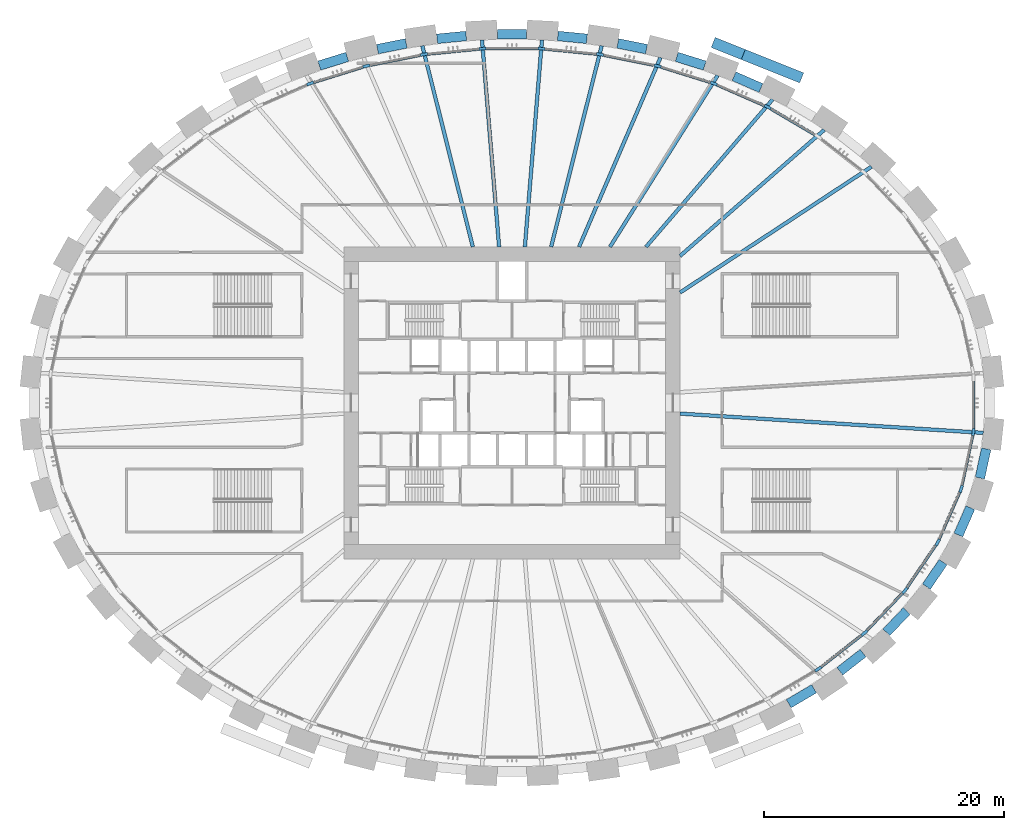
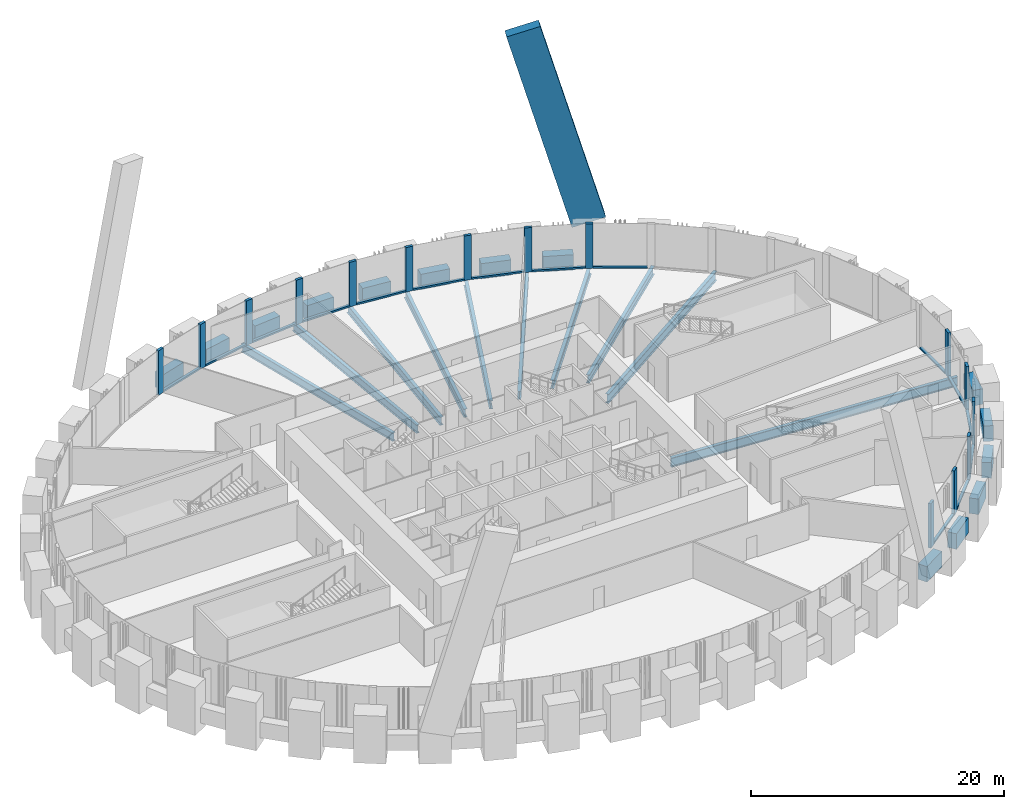
# One storey, part 3 of 21: 31 members, 24 beams, 2 elements without a shape of their own.
"""IFC4 building model written with IfcOpenShell, lengths in metres."""

import ifcopenshell
import ifcopenshell.guid

model = None  # the IFC model being written
_history = None  # IfcOwnerHistory: only IFC2X3 demands one
_inside = {}  # id of a spatial element -> (the spatial element, [elements in it])
_under = {}  # id of a project, library or spatial element -> (it, [spatial elements below it])
_declared = {}  # id of a project -> (the project, [libraries it declares])
_typed = {}  # id of a type object -> (the type object, [elements of that type])
_made_of = {}  # id of a material, layer set ... -> (it, [elements and type objects made of it])


def new_model(schema):
    """Start an empty IFC model of exactly this schema.

    Asked for "IFC4X3", IfcOpenShell would pick the latest addendum, in which some entities
    have other attributes; the version numbers below select the first issue.
    IFC2X3 requires an IfcOwnerHistory on every rooted entity: one is made here for all.
    """
    global model, _history
    if schema == "IFC4X3":
        model = ifcopenshell.file(schema_version=(4, 3, 0, 0))
    else:
        model = ifcopenshell.file(schema=schema)
    _inside.clear()
    _under.clear()
    _declared.clear()
    _typed.clear()
    _made_of.clear()
    _history = None
    if model.schema == "IFC2X3":
        org = make("IfcOrganization", Name="unknown")
        user = make(
            "IfcPersonAndOrganization",
            ThePerson=make("IfcPerson", FamilyName="unknown"),
            TheOrganization=org,
        )
        app = make(
            "IfcApplication",
            ApplicationDeveloper=org,
            Version="unknown",
            ApplicationFullName="unknown",
            ApplicationIdentifier="unknown",
        )
        _history = make(
            "IfcOwnerHistory",
            OwningUser=user,
            OwningApplication=app,
            ChangeAction="ADDED",
            CreationDate=0,
        )
    return model


def make(cls, **values):
    """One entity of the class cls with the attributes given. An attribute that is None is left unset."""
    return model.create_entity(
        cls, **{name: value for name, value in values.items() if value is not None}
    )


def rooted(cls, **values):
    """An entity with a GlobalId (a new one), such as an element, a storey or a relation."""
    return make(cls, GlobalId=ifcopenshell.guid.new(), OwnerHistory=_history, **values)


def si_unit(unit_type, name, prefix=None):
    """IfcSIUnit, for example si_unit("LENGTHUNIT", "METRE", prefix="MILLI")."""
    return make("IfcSIUnit", UnitType=unit_type, Prefix=prefix, Name=name)


def assignment(units):
    """IfcUnitAssignment: the units of a project."""
    return None if units is None else make("IfcUnitAssignment", Units=units)


def point(xyz):
    """IfcCartesianPoint."""
    return None if xyz is None else make("IfcCartesianPoint", Coordinates=xyz)


def direction(xyz):
    """IfcDirection."""
    return None if xyz is None else make("IfcDirection", DirectionRatios=xyz)


def frame(location, z_axis=None, x_axis=None):
    """IfcAxis2Placement3D, a coordinate frame: its origin and axes. An axis left out is left unset."""
    return make(
        "IfcAxis2Placement3D",
        Location=point(location),
        Axis=direction(z_axis),
        RefDirection=direction(x_axis),
    )


def frame_2d(location, x_axis=None):
    """IfcAxis2Placement2D, a coordinate frame in the plane: its origin and x axis."""
    return make(
        "IfcAxis2Placement2D", Location=point(location), RefDirection=direction(x_axis)
    )


def origin():
    """The frame at (0, 0, 0) with its axes left unset."""
    return frame((0.0, 0.0, 0.0))


def origin_2d():
    """The frame at (0, 0) in the plane with its x axis left unset."""
    return frame_2d((0.0, 0.0))


def place(relative_to, where):
    """IfcLocalPlacement: puts the frame where relative to a parent placement (None: the world)."""
    return make(
        "IfcLocalPlacement", PlacementRelTo=relative_to, RelativePlacement=where
    )


def context(
    kind, dimensions, precision=None, world=None, true_north=None, identifier=None
):
    """IfcGeometricRepresentationContext, for example the 3D "Model" context."""
    return make(
        "IfcGeometricRepresentationContext",
        ContextIdentifier=identifier,
        ContextType=kind,
        CoordinateSpaceDimension=dimensions,
        Precision=precision,
        WorldCoordinateSystem=world,
        TrueNorth=true_north,
    )


def subcontext(parent, identifier, kind, view, scale=None):
    """IfcGeometricRepresentationSubContext, for example "Body" below "Model"."""
    return make(
        "IfcGeometricRepresentationSubContext",
        ContextIdentifier=identifier,
        ContextType=kind,
        ParentContext=parent,
        TargetScale=scale,
        TargetView=view,
    )


def project(units=None, contexts=None):
    """IfcProject with its units and contexts."""
    return rooted(
        "IfcProject",
        Name="project",
        RepresentationContexts=contexts,
        UnitsInContext=assignment(units),
    )


def spatial(cls, under=None, at=None, **own):
    """A site, building, storey or space (cls), placed at a placement, below another one or the project."""
    s = rooted(cls, ObjectPlacement=at, **own)
    if under is not None:
        _under.setdefault(under.id(), (under, []))[1].append(s)
    return s


def profile(cls, at=None, kind="AREA", **sizes):
    """A parametric profile (cls). Its sizes go by their IFC names, for example OverallWidth=200.0."""
    return make(cls, ProfileType=kind, Position=at, **sizes)


def rectangle(**sizes):
    """IfcRectangleProfileDef."""
    return profile("IfcRectangleProfileDef", **sizes)


def i_section(**sizes):
    """IfcIShapeProfileDef."""
    return profile("IfcIShapeProfileDef", **sizes)


def extrude(swept, where, along, depth):
    """IfcExtrudedAreaSolid: the profile swept, set in the frame where, extruded along a direction by depth."""
    return make(
        "IfcExtrudedAreaSolid",
        SweptArea=swept,
        Position=where,
        ExtrudedDirection=direction(along),
        Depth=depth,
    )


def shape(context_of_items, identifier, shape_type, items):
    """IfcShapeRepresentation: the items that make up one representation, for example the "Body"."""
    return make(
        "IfcShapeRepresentation",
        ContextOfItems=context_of_items,
        RepresentationIdentifier=identifier,
        RepresentationType=shape_type,
        Items=items,
    )


def source(mapping_origin, context_of_items, identifier, shape_type, items):
    """IfcRepresentationMap: a shape defined once, which mapped items show again and again."""
    return make(
        "IfcRepresentationMap",
        MappingOrigin=mapping_origin,
        MappedRepresentation=shape(context_of_items, identifier, shape_type, items),
    )


def transform(
    local_origin,
    x_axis=None,
    y_axis=None,
    z_axis=None,
    scale=None,
    scale2=None,
    scale3=None,
    uniform=True,
):
    """IfcCartesianTransformationOperator3D, or its non-uniform kind. x_axis, y_axis, z_axis: its Axis1, 2, 3."""
    if uniform:
        return make(
            "IfcCartesianTransformationOperator3D",
            Axis1=direction(x_axis),
            Axis2=direction(y_axis),
            LocalOrigin=point(local_origin),
            Scale=scale,
            Axis3=direction(z_axis),
        )
    return make(
        "IfcCartesianTransformationOperator3DnonUniform",
        Axis1=direction(x_axis),
        Axis2=direction(y_axis),
        LocalOrigin=point(local_origin),
        Scale=scale,
        Axis3=direction(z_axis),
        Scale2=scale2,
        Scale3=scale3,
    )


def mapped(mapping_source, mapping_target):
    """IfcMappedItem: shows the shape of a source again, moved by a transform."""
    return make(
        "IfcMappedItem", MappingSource=mapping_source, MappingTarget=mapping_target
    )


def material(Name=None, Category=None):
    """IfcMaterial."""
    return make("IfcMaterial", Name=Name, Category=Category)


def material_profile(
    of_material, cross_section, Name=None, Category=None, Priority=None
):
    """IfcMaterialProfile: a cross section and its material."""
    return make(
        "IfcMaterialProfile",
        Name=Name,
        Material=of_material,
        Profile=cross_section,
        Priority=Priority,
        Category=Category,
    )


def profile_set(profiles, Name=None, composite=None):
    """IfcMaterialProfileSet."""
    return make(
        "IfcMaterialProfileSet",
        Name=Name,
        MaterialProfiles=profiles,
        CompositeProfile=composite,
    )


def made_of(thing, what):
    """Note that an element or type object is made of a material, layer set ...; save() writes the relation."""
    if what is not None:
        _made_of.setdefault(what.id(), (what, []))[1].append(thing)
    return thing


def type_object(cls, material=None, **own):
    """A type object (cls), such as IfcWallType, which elements share."""
    return made_of(rooted(cls, **own), material)


def element(
    cls,
    number,
    at=None,
    inside=None,
    cuts=None,
    type_object=None,
    material=None,
    context=None,
    identifier="Body",
    shape_type=None,
    held_by="IfcProductDefinitionShape",
    body=None,
    shapes=None,
    **own,
):
    """One element of the class cls, such as IfcWall. Its Tag is "e" and its number.

    at: its placement. inside: the storey or other place that contains it. cuts: it is an
    opening in that element (IfcRelVoidsElement). A single representation is given by context,
    identifier, shape_type and body (its items); several are given by shapes. held_by: the class
    of the entity that holds the representations. save() writes the other relations.
    """
    e = rooted(cls, Tag="e%d" % number, ObjectPlacement=at, **own)
    if body is not None:
        shapes = [shape(context, identifier, shape_type, body)]
    if shapes is not None:
        e.Representation = make(held_by, Representations=shapes)
    if inside is not None:
        _inside.setdefault(inside.id(), (inside, []))[1].append(e)
    if cuts is not None:
        rooted(
            "IfcRelVoidsElement", RelatingBuildingElement=cuts, RelatedOpeningElement=e
        )
    if type_object is not None:
        _typed.setdefault(type_object.id(), (type_object, []))[1].append(e)
    return made_of(e, material)


def aggregate(whole, parts):
    """IfcRelAggregates: a whole, such as a stair, and the parts it consists of."""
    return rooted("IfcRelAggregates", RelatingObject=whole, RelatedObjects=parts)


def save(model, path):
    """Write the relations noted so far, then the file.

    IfcRelAggregates (storeys below a building ...), IfcRelContainedInSpatialStructure (elements
    in a storey), IfcRelDefinesByType, IfcRelAssociatesMaterial and IfcRelDeclares: one each for
    every whole, place, type object, material and project.
    """
    for whole, parts in _under.values():
        aggregate(whole, parts)
    for where, things in _inside.values():
        rooted(
            "IfcRelContainedInSpatialStructure",
            RelatedElements=things,
            RelatingStructure=where,
        )
    for kind, things in _typed.values():
        rooted("IfcRelDefinesByType", RelatedObjects=things, RelatingType=kind)
    for what, things in _made_of.values():
        rooted("IfcRelAssociatesMaterial", RelatedObjects=things, RelatingMaterial=what)
    for by, libraries in _declared.values():
        rooted("IfcRelDeclares", RelatingContext=by, RelatedDefinitions=libraries)
    model.write(path)


model = new_model("IFC4")

# Units and contexts
model_context = context("Model", 3, precision=1e-05, world=origin(), true_north=direction((0.0, 1.0)))
body_context = subcontext(model_context, "Body", "Model", "MODEL_VIEW")
ifc_project = project(units=[si_unit("LENGTHUNIT", "METRE"), si_unit("AREAUNIT", "SQUARE_METRE"), si_unit("VOLUMEUNIT", "CUBIC_METRE"), si_unit("PLANEANGLEUNIT", "RADIAN"), si_unit("MASSUNIT", "GRAM", prefix="KILO")], contexts=[model_context])

# Site, building, storey
site_placement = place(None, origin())
site = spatial("IfcSite", under=ifc_project, at=site_placement, CompositionType="ELEMENT")
building_placement = place(site_placement, origin())
building = spatial("IfcBuilding", under=site, at=building_placement, Name="Embergate Tower", CompositionType="ELEMENT")
storey_placement = place(building_placement, frame((0.0, 0.0, 33.5)))
storey = spatial("IfcBuildingStorey", under=building, at=storey_placement, Name="L04", CompositionType="ELEMENT", Elevation=33.5)

# Beams
ifc_material_1 = material(Name="Concrete C70", Category="concrete")
ifc_material_profile_1 = material_profile(ifc_material_1, rectangle(XDim=0.800048828125, YDim=1.5, at=origin_2d()), Name="RC 800x1500")
ifc_profile_set_1 = profile_set([ifc_material_profile_1], Name="Concrete C70")
beam_type_1 = type_object("IfcBeamType", Name="Spandrel beam RC 800x1500 C70", PredefinedType="BEAM", material=ifc_profile_set_1)
shared_shape_1 = source(origin(), body_context, "Body", "SweptSolid", [
    extrude(rectangle(XDim=0.800048828125, YDim=1.5, at=origin_2d()), origin(), (0.0, 0.0, 1.0), 2.4833984375),
])
beam_1_placement = place(storey_placement, frame((38.98193359375, -6.2548828125, 0.0), z_axis=(0.210180265882, 0.977662649299, 0.0), x_axis=(-0.977662649299, 0.210180265882, 0.0)))
element("IfcBeam", 1, at=beam_1_placement, inside=storey, type_object=beam_type_1, Name="SPN-L04-42", PredefinedType="BEAM", context=body_context, shape_type="MappedRepresentation", body=[
    mapped(shared_shape_1, transform((0.0, 0.0, 0.0))),
])
shared_shape_2 = source(origin(), body_context, "Body", "SweptSolid", [
    extrude(rectangle(XDim=0.800048828125, YDim=1.5, at=origin_2d()), origin(), (0.0, 0.0, 1.0), 2.478515625),
])
beam_2_placement = place(storey_placement, frame((37.18701171875, -10.9990234375, 0.0), z_axis=(0.40140784331, 0.915899417692, 0.0), x_axis=(-0.915899417692, 0.40140784331, 0.0)))
element("IfcBeam", 2, at=beam_2_placement, inside=storey, type_object=beam_type_1, Name="SPN-L04-41", PredefinedType="BEAM", context=body_context, shape_type="MappedRepresentation", body=[
    mapped(shared_shape_2, transform((0.0, 0.0, 0.0))),
])
shared_shape_3 = source(origin(), body_context, "Body", "SweptSolid", [
    extrude(rectangle(XDim=0.800048828125, YDim=1.5, at=origin_2d()), origin(), (0.0, 0.0, 1.0), 2.46875),
])
beam_3_placement = place(storey_placement, frame((34.52197265625, -15.304931640625, 0.0), z_axis=(0.562594003895, 0.826733322651, 0.0), x_axis=(-0.826733322651, 0.562594003895, 0.0)))
element("IfcBeam", 3, at=beam_3_placement, inside=storey, type_object=beam_type_1, Name="SPN-L04-40", PredefinedType="BEAM", context=body_context, shape_type="MappedRepresentation", body=[
    mapped(shared_shape_3, transform((0.0, 0.0, 0.0))),
])
shared_shape_4 = source(origin(), body_context, "Body", "SweptSolid", [
    extrude(rectangle(XDim=0.800048828125, YDim=1.5, at=origin_2d()), origin(), (0.0, 0.0, 1.0), 2.462890625),
])
beam_4_placement = place(storey_placement, frame((31.18896484375, -19.110107421875, 0.0), z_axis=(0.689801191863, 0.723998836811, 0.0), x_axis=(-0.723998836811, 0.689801191863, 0.0)))
element("IfcBeam", 4, at=beam_4_placement, inside=storey, type_object=beam_type_1, Name="SPN-L04-39", PredefinedType="BEAM", context=body_context, shape_type="MappedRepresentation", body=[
    mapped(shared_shape_4, transform((0.0, 0.0, 0.0))),
])
shared_shape_5 = source(origin(), body_context, "Body", "SweptSolid", [
    extrude(rectangle(XDim=0.800048828125, YDim=1.5, at=origin_2d()), origin(), (0.0, 0.0, 1.0), 2.45361328125),
])
beam_5_placement = place(storey_placement, frame((27.31396484375, -22.35009765625, 0.0), z_axis=(0.788220432828, 0.615393003919, 0.0), x_axis=(-0.615393003919, 0.788220432828, 0.0)))
element("IfcBeam", 5, at=beam_5_placement, inside=storey, type_object=beam_type_1, Name="SPN-L04-38", PredefinedType="BEAM", context=body_context, shape_type="MappedRepresentation", body=[
    mapped(shared_shape_5, transform((0.0, 0.0, 0.0))),
])
shared_shape_6 = source(origin(), body_context, "Body", "SweptSolid", [
    extrude(rectangle(XDim=0.800048828125, YDim=1.5, at=origin_2d()), origin(), (0.0, 0.0, 1.0), 2.44873046875),
])
beam_6_placement = place(storey_placement, frame((23.052978515625, -25.052978515625, 0.0), z_axis=(0.862085389166, 0.506763043036, 0.0), x_axis=(-0.506763043036, 0.862085389166, 0.0)))
element("IfcBeam", 6, at=beam_6_placement, inside=storey, type_object=beam_type_1, Name="SPN-L04-37", PredefinedType="BEAM", context=body_context, shape_type="MappedRepresentation", body=[
    mapped(shared_shape_6, transform((0.0, 0.0, 0.0))),
])
shared_shape_7 = source(origin(), body_context, "Body", "SweptSolid", [
    extrude(rectangle(XDim=0.800048828125, YDim=1.5, at=origin_2d()), origin(), (0.0, 0.0, 1.0), 2.445068359375),
])
beam_7_placement = place(storey_placement, frame((20.737060546875, 26.235107421875, 0.0), z_axis=(-0.916159626616, 0.400813595775, 0.0), x_axis=(-0.400813595775, -0.916159626616, 0.0)))
element("IfcBeam", 7, at=beam_7_placement, inside=storey, type_object=beam_type_1, Name="SPN-L04-06", PredefinedType="BEAM", context=body_context, shape_type="MappedRepresentation", body=[
    mapped(shared_shape_7, transform((0.0, 0.0, 0.0))),
])
shared_shape_8 = source(origin(), body_context, "Body", "SweptSolid", [
    extrude(rectangle(XDim=0.800048828125, YDim=1.5, at=origin_2d()), origin(), (0.0, 0.0, 1.0), 2.441162109375),
])
for number, where, z_axis, x_axis, name in (
    (8, (16.053955078125, 28.10498046875, 0.0), (-0.954870643943, 0.297021974499, 0.0), (-0.297021974499, -0.954870643943, 0.0), "SPN-L04-07"),
    (9, (-13.722900390625, 28.830078125, 0.0), (-0.954870643943, -0.297021974499, 0.0), (0.297021974499, -0.954870643943, 0.0), "SPN-L04-13"),
):
    element("IfcBeam", number, at=place(storey_placement, frame(where, z_axis=z_axis, x_axis=x_axis)), inside=storey, type_object=beam_type_1, Name=name, PredefinedType="BEAM", context=body_context, shape_type="MappedRepresentation", body=[
        mapped(shared_shape_8, transform((0.0, 0.0, 0.0))),
    ])
shared_shape_9 = source(origin(), body_context, "Body", "SweptSolid", [
    extrude(rectangle(XDim=0.800048828125, YDim=1.5, at=origin_2d()), origin(), (0.0, 0.0, 1.0), 2.438720703125),
])
for number, where, z_axis, x_axis, name in (
    (10, (11.2041015625, 29.472900390625, 0.0), (-0.980441821955, 0.19680913028, 0.0), (-0.19680913028, -0.980441821955, 0.0), "SPN-L04-08"),
    (11, (-8.81298828125, 29.952880859375, 0.0), (-0.980441821955, -0.19680913028, 0.0), (0.19680913028, -0.980441821955, 0.0), "SPN-L04-12"),
):
    element("IfcBeam", number, at=place(storey_placement, frame(where, z_axis=z_axis, x_axis=x_axis)), inside=storey, type_object=beam_type_1, Name=name, PredefinedType="BEAM", context=body_context, shape_type="MappedRepresentation", body=[
        mapped(shared_shape_9, transform((0.0, 0.0, 0.0))),
    ])
shared_shape_10 = source(origin(), body_context, "Body", "SweptSolid", [
    extrude(rectangle(XDim=0.800048828125, YDim=1.5, at=origin_2d()), origin(), (0.0, 0.0, 1.0), 2.437744140625),
])
for number, where, z_axis, x_axis, name in (
    (12, (6.241943359375, 30.3359375, 0.0), (-0.995181884191, 0.098045996239, 0.0), (-0.098045996239, -0.995181884191, 0.0), "SPN-L04-09"),
    (13, (-3.81591796875, 30.574951171875, 0.0), (-0.995181884191, -0.098045996239, 0.0), (0.098045996239, -0.995181884191, 0.0), "SPN-L04-11"),
):
    element("IfcBeam", number, at=place(storey_placement, frame(where, z_axis=z_axis, x_axis=x_axis)), inside=storey, type_object=beam_type_1, Name=name, PredefinedType="BEAM", context=body_context, shape_type="MappedRepresentation", body=[
        mapped(shared_shape_10, transform((0.0, 0.0, 0.0))),
    ])
shared_shape_11 = source(origin(), body_context, "Body", "SweptSolid", [
    extrude(rectangle(XDim=0.800048828125, YDim=1.5, at=origin_2d()), origin(), (0.0, 0.0, 1.0), 2.43798828125),
])
beam_8_placement = place(storey_placement, frame((1.218994140625, 30.701904296875, 0.0), z_axis=(-1.0, 0.0, 0.0), x_axis=(0.0, -1.0, 0.0)))
element("IfcBeam", 14, at=beam_8_placement, inside=storey, type_object=beam_type_1, Name="SPN-L04-10", PredefinedType="BEAM", context=body_context, shape_type="MappedRepresentation", body=[
    mapped(shared_shape_11, transform((0.0, 0.0, 0.0))),
])
ifc_material_2 = material(Name="Steel Q355B", Category="steel")
ifc_material_profile_2 = material_profile(ifc_material_2, i_section(OverallWidth=0.300048828125, OverallDepth=0.89990234375, WebThickness=0.01611328125, FlangeThickness=0.028076171875, FilletRadius=0.028076171875, at=origin_2d()), Name="HN 900x300x16x28")
ifc_profile_set_2 = profile_set([ifc_material_profile_2], Name="Steel Q355 grade B")
beam_type_2 = type_object("IfcBeamType", Name="Radial girder HN 900x300x16x28", PredefinedType="BEAM", material=ifc_profile_set_2)
shared_shape_12 = source(origin(), body_context, "Body", "SweptSolid", [
    extrude(i_section(OverallWidth=0.300048828125, OverallDepth=0.89990234375, WebThickness=0.01611328125, FlangeThickness=0.028076171875, FilletRadius=0.028076171875, at=origin_2d()), origin(), (0.0, 0.0, 1.0), 25.31103515625),
])
beam_9_placement = place(storey_placement, frame((39.260009765625, -2.493896484375, -0.75), z_axis=(-0.997987527614, 0.063410525362, 0.0), x_axis=(-0.063410525362, -0.997987527614, 0.0)))
element("IfcBeam", 15, at=beam_9_placement, inside=storey, type_object=beam_type_2, Name="GIR-L04-43", PredefinedType="BEAM", context=body_context, shape_type="MappedRepresentation", body=[
    mapped(shared_shape_12, transform((0.0, 0.0, 0.0))),
])
shared_shape_13 = source(origin(), body_context, "Body", "SweptSolid", [
    extrude(i_section(OverallWidth=0.300048828125, OverallDepth=0.89990234375, WebThickness=0.01611328125, FlangeThickness=0.028076171875, FilletRadius=0.028076171875, at=origin_2d()), origin(), (0.0, 0.0, 1.0), 19.08984375),
])
beam_10_placement = place(storey_placement, frame((29.9541015625, 19.680908203125, -0.75), z_axis=(-0.835734658409, -0.54913348171, 0.0), x_axis=(0.54913348171, -0.835734658409, 0.0)))
element("IfcBeam", 16, at=beam_10_placement, inside=storey, type_object=beam_type_2, Name="GIR-L04-04", PredefinedType="BEAM", context=body_context, shape_type="MappedRepresentation", body=[
    mapped(shared_shape_13, transform((0.0, 0.0, 0.0))),
])
ifc_material_profile_3 = material_profile(ifc_material_2, i_section(OverallWidth=0.300048828125, OverallDepth=0.800048828125, WebThickness=0.013916015625, FlangeThickness=0.02587890625, FilletRadius=0.028076171875, at=origin_2d()), Name="HN 800x300x14x26")
ifc_profile_set_3 = profile_set([ifc_material_profile_3], Name="Steel Q355 grade B")
beam_type_3 = type_object("IfcBeamType", Name="Radial girder HN 800x300x14x26", PredefinedType="BEAM", material=ifc_profile_set_3)
shared_shape_14 = source(origin(), body_context, "Body", "SweptSolid", [
    extrude(i_section(OverallWidth=0.300048828125, OverallDepth=0.800048828125, WebThickness=0.013916015625, FlangeThickness=0.02587890625, FilletRadius=0.028076171875, at=origin_2d()), origin(), (0.0, 0.0, 1.0), 15.96484375),
])
beam_11_placement = place(storey_placement, frame((26.01806640625, 22.7529296875, -0.699951171875), z_axis=(-0.752786961576, -0.65826422543, 0.0), x_axis=(0.65826422543, -0.752786961576, 0.0)))
element("IfcBeam", 17, at=beam_11_placement, inside=storey, type_object=beam_type_3, Name="GIR-L04-05", PredefinedType="BEAM", context=body_context, shape_type="MappedRepresentation", body=[
    mapped(shared_shape_14, transform((0.0, 0.0, 0.0))),
])
shared_shape_15 = source(origin(), body_context, "Body", "SweptSolid", [
    extrude(i_section(OverallWidth=0.300048828125, OverallDepth=0.800048828125, WebThickness=0.013916015625, FlangeThickness=0.02587890625, FilletRadius=0.028076171875, at=origin_2d()), origin(), (0.0, 0.0, 1.0), 16.193115234375),
])
beam_12_placement = place(storey_placement, frame((21.712890625, 25.284912109375, -0.699951171875), z_axis=(-0.651498813606, -0.758649652916, 0.0), x_axis=(0.758649652916, -0.651498813606, 0.0)))
element("IfcBeam", 18, at=beam_12_placement, inside=storey, type_object=beam_type_3, Name="GIR-L04-06", PredefinedType="BEAM", context=body_context, shape_type="MappedRepresentation", body=[
    mapped(shared_shape_15, transform((0.0, 0.0, 0.0))),
])
shared_shape_16 = source(origin(), body_context, "Body", "SweptSolid", [
    extrude(i_section(OverallWidth=0.300048828125, OverallDepth=0.800048828125, WebThickness=0.013916015625, FlangeThickness=0.02587890625, FilletRadius=0.028076171875, at=origin_2d()), origin(), (0.0, 0.0, 1.0), 16.86962890625),
])
beam_13_placement = place(storey_placement, frame((17.135986328125, 27.285888671875, -0.699951171875), z_axis=(-0.531841030779, -0.846844211163, 0.0), x_axis=(0.846844211163, -0.531841030779, 0.0)))
element("IfcBeam", 19, at=beam_13_placement, inside=storey, type_object=beam_type_3, Name="GIR-L04-07", PredefinedType="BEAM", context=body_context, shape_type="MappedRepresentation", body=[
    mapped(shared_shape_16, transform((0.0, 0.0, 0.0))),
])
shared_shape_17 = source(origin(), body_context, "Body", "SweptSolid", [
    extrude(i_section(OverallWidth=0.300048828125, OverallDepth=0.800048828125, WebThickness=0.013916015625, FlangeThickness=0.02587890625, FilletRadius=0.028076171875, at=origin_2d()), origin(), (0.0, 0.0, 1.0), 17.166259765625),
])
beam_14_placement = place(storey_placement, frame((12.366943359375, 28.77099609375, -0.699951171875), z_axis=(-0.394906038648, -0.918721514192, 0.0), x_axis=(0.918721514192, -0.394906038648, 0.0)))
element("IfcBeam", 20, at=beam_14_placement, inside=storey, type_object=beam_type_3, Name="GIR-L04-08", PredefinedType="BEAM", context=body_context, shape_type="MappedRepresentation", body=[
    mapped(shared_shape_17, transform((0.0, 0.0, 0.0))),
])
shared_shape_18 = source(origin(), body_context, "Body", "SweptSolid", [
    extrude(i_section(OverallWidth=0.300048828125, OverallDepth=0.800048828125, WebThickness=0.013916015625, FlangeThickness=0.02587890625, FilletRadius=0.028076171875, at=origin_2d()), origin(), (0.0, 0.0, 1.0), 17.273681640625),
])
for number, where, z_axis, x_axis, name in (
    (21, (7.468994140625, 29.75390625, -0.699951171875), (-0.243440080988, -0.969915938094, 0.0), (0.969915938094, -0.243440080988, 0.0), "GIR-L04-09"),
    (22, (-7.468994140625, 29.75390625, -0.699951171875), (0.243440080988, -0.969915938094, 0.0), (0.969915938094, 0.243440080988, 0.0), "GIR-L04-12"),
):
    element("IfcBeam", number, at=place(storey_placement, frame(where, z_axis=z_axis, x_axis=x_axis)), inside=storey, type_object=beam_type_3, Name=name, PredefinedType="BEAM", context=body_context, shape_type="MappedRepresentation", body=[
        mapped(shared_shape_18, transform((0.0, 0.0, 0.0))),
    ])
shared_shape_19 = source(origin(), body_context, "Body", "SweptSolid", [
    extrude(i_section(OverallWidth=0.300048828125, OverallDepth=0.800048828125, WebThickness=0.013916015625, FlangeThickness=0.02587890625, FilletRadius=0.028076171875, at=origin_2d()), origin(), (0.0, 0.0, 1.0), 17.300537109375),
])
for number, where, z_axis, x_axis, name in (
    (23, (2.498046875, 30.241943359375, -0.699951171875), (-0.082313209185, -0.996606509909, 0.0), (0.996606509909, -0.082313209185, 0.0), "GIR-L04-10"),
    (24, (-2.498046875, 30.241943359375, -0.699951171875), (0.082313209185, -0.996606509909, 0.0), (0.996606509909, 0.082313209185, 0.0), "GIR-L04-11"),
):
    element("IfcBeam", number, at=place(storey_placement, frame(where, z_axis=z_axis, x_axis=x_axis)), inside=storey, type_object=beam_type_3, Name=name, PredefinedType="BEAM", context=body_context, shape_type="MappedRepresentation", body=[
        mapped(shared_shape_19, transform((0.0, 0.0, 0.0))),
    ])

# Member
ifc_material_profile_4 = material_profile(ifc_material_1, rectangle(XDim=0.89990234375, YDim=2.800048828125, at=origin_2d()), Name="RC 900x2800")
ifc_profile_set_4 = profile_set([ifc_material_profile_4], Name="Concrete C70")
member_type_1 = type_object("IfcMemberType", Name="Lattice diagonal terracotta-faced RC 900x2800", PredefinedType="BRACE", material=ifc_profile_set_4)
shared_shape_20 = source(origin(), body_context, "Body", "SweptSolid", [
    extrude(rectangle(XDim=0.89990234375, YDim=2.800048828125, at=origin_2d()), origin(), (0.0, 0.0, 1.0), 19.657958984375),
])
member_1_placement = place(storey_placement, frame((22.881103515625, 27.583984375, 2.339111328125), z_axis=(-0.24748310036, 0.098946046097, 0.963826641569), x_axis=(-0.371238026102, -0.928537736431, 0.0)))
element("IfcMember", 25, at=member_1_placement, inside=storey, type_object=member_type_1, Name="BRP-N-0-01", PredefinedType="BRACE", context=body_context, shape_type="MappedRepresentation", body=[
    mapped(shared_shape_20, transform((0.0, 0.0, 0.0))),
])

# Curtain wall, members
ifc_material_3 = material(Name="Aluminium and glass", Category="aluminium")
curtain_wall_type = type_object("IfcCurtainWallType", Name="Podium base glazing", PredefinedType="NOTDEFINED", material=ifc_material_3)
curtain_wall_1_placement = place(storey_placement, origin())
curtain_wall_1 = element("IfcCurtainWall", 26, at=curtain_wall_1_placement, inside=storey, type_object=curtain_wall_type, Name="Podium base glazing run 1", ObjectType="PODIUM BASE GLAZING", PredefinedType="USERDEFINED")
ifc_material_4 = material(Name="Aluminium, thermally broken", Category="aluminium")
ifc_material_profile_5 = material_profile(ifc_material_4, rectangle(XDim=0.239990234375, YDim=0.60009765625, at=origin_2d()), Name="AL 600x240")
ifc_profile_set_5 = profile_set([ifc_material_profile_5], Name="Aluminium, thermally broken")
member_type_2 = type_object("IfcMemberType", Name="Base mullion", PredefinedType="MULLION", material=ifc_profile_set_5)
shared_shape_21 = source(origin(), body_context, "Body", "SweptSolid", [
    extrude(rectangle(XDim=0.239990234375, YDim=0.60009765625, at=origin_2d()), origin(), (0.0, 0.0, 1.0), 4.300048828125),
])
member_2_placement = place(storey_placement, frame((21.2998046875, 24.650634765625, 0.0), z_axis=(0.0, 0.0, 1.0), x_axis=(-0.454506716612, -0.890743310138, 0.0)))
member_2 = element("IfcMember", 27, at=member_2_placement, type_object=member_type_2, Name="CW mullion 7", PredefinedType="MULLION", context=body_context, shape_type="MappedRepresentation", body=[
    mapped(shared_shape_21, transform((0.0, 0.0, 0.0))),
])
member_3_placement = place(storey_placement, frame((16.814453125, 26.612060546875, 0.0), z_axis=(0.0, 0.0, 1.0), x_axis=(-0.349499412327, -0.936936583117, 0.0)))
member_3 = element("IfcMember", 28, at=member_3_placement, type_object=member_type_2, Name="CW mullion 8", PredefinedType="MULLION", context=body_context, shape_type="MappedRepresentation", body=[
    mapped(shared_shape_21, transform((0.0, 0.0, 0.0))),
])
member_4_placement = place(storey_placement, frame((12.13671875, 28.068603515625, 0.0), z_axis=(0.0, 0.0, 1.0), x_axis=(-0.247310190257, -0.968936360034, 0.0)))
member_4 = element("IfcMember", 29, at=member_4_placement, type_object=member_type_2, Name="CW mullion 9", PredefinedType="MULLION", context=body_context, shape_type="MappedRepresentation", body=[
    mapped(shared_shape_21, transform((0.0, 0.0, 0.0))),
])
member_5_placement = place(storey_placement, frame((7.3310546875, 29.032470703125, 0.0), z_axis=(0.0, 0.0, 1.0), x_axis=(-0.147410656556, -0.989075375456, 0.0)))
member_5 = element("IfcMember", 30, at=member_5_placement, type_object=member_type_2, Name="CW mullion 10", PredefinedType="MULLION", context=body_context, shape_type="MappedRepresentation", body=[
    mapped(shared_shape_21, transform((0.0, 0.0, 0.0))),
])
member_6_placement = place(storey_placement, frame((2.45166015625, 29.51220703125, 0.0), z_axis=(0.0, 0.0, 1.0), x_axis=(-0.048970053385, -0.998800247232, 0.0)))
member_6 = element("IfcMember", 31, at=member_6_placement, type_object=member_type_2, Name="CW mullion 11", PredefinedType="MULLION", context=body_context, shape_type="MappedRepresentation", body=[
    mapped(shared_shape_21, transform((0.0, 0.0, 0.0))),
])
member_7_placement = place(storey_placement, frame((-2.45166015625, 29.51220703125, 0.0), z_axis=(0.0, 0.0, 1.0), x_axis=(0.048970053385, -0.998800247232, 0.0)))
member_7 = element("IfcMember", 32, at=member_7_placement, type_object=member_type_2, Name="CW mullion 12", PredefinedType="MULLION", context=body_context, shape_type="MappedRepresentation", body=[
    mapped(shared_shape_21, transform((0.0, 0.0, 0.0))),
])
member_8_placement = place(storey_placement, frame((-7.3310546875, 29.032470703125, 0.0), z_axis=(0.0, 0.0, 1.0), x_axis=(0.147410656556, -0.989075375456, 0.0)))
member_8 = element("IfcMember", 33, at=member_8_placement, type_object=member_type_2, Name="CW mullion 13", PredefinedType="MULLION", context=body_context, shape_type="MappedRepresentation", body=[
    mapped(shared_shape_21, transform((0.0, 0.0, 0.0))),
])
member_9_placement = place(storey_placement, frame((-12.13671875, 28.068603515625, 0.0), z_axis=(0.0, 0.0, 1.0), x_axis=(0.247310190257, -0.968936360034, 0.0)))
member_9 = element("IfcMember", 34, at=member_9_placement, type_object=member_type_2, Name="CW mullion 14", PredefinedType="MULLION", context=body_context, shape_type="MappedRepresentation", body=[
    mapped(shared_shape_21, transform((0.0, 0.0, 0.0))),
])
member_10_placement = place(storey_placement, frame((-16.814453125, 26.612060546875, 0.0), z_axis=(0.0, 0.0, 1.0), x_axis=(0.349499412327, -0.936936583117, 0.0)))
member_10 = element("IfcMember", 35, at=member_10_placement, type_object=member_type_2, Name="CW mullion 15", PredefinedType="MULLION", context=body_context, shape_type="MappedRepresentation", body=[
    mapped(shared_shape_21, transform((0.0, 0.0, 0.0))),
])

curtain_wall_2_placement = place(storey_placement, origin())
curtain_wall_2 = element("IfcCurtainWall", 36, at=curtain_wall_2_placement, inside=storey, type_object=curtain_wall_type, Name="Podium base glazing run 3", ObjectType="PODIUM BASE GLAZING", PredefinedType="USERDEFINED")
member_11_placement = place(storey_placement, frame((25.51611328125, -22.171875, 0.0), z_axis=(0.0, 0.0, 1.0), x_axis=(-0.56221328843, 0.826992272221, 0.0)))
member_11 = element("IfcMember", 37, at=member_11_placement, type_object=member_type_2, Name="CW mullion 10", PredefinedType="MULLION", context=body_context, shape_type="MappedRepresentation", body=[
    mapped(shared_shape_21, transform((0.0, 0.0, 0.0))),
])
member_12_placement = place(storey_placement, frame((29.366455078125, -19.166748046875, 0.0), z_axis=(0.0, 0.0, 1.0), x_axis=(-0.671222652759, 0.741255792843, 0.0)))
member_12 = element("IfcMember", 38, at=member_12_placement, type_object=member_type_2, Name="CW mullion 11", PredefinedType="MULLION", context=body_context, shape_type="MappedRepresentation", body=[
    mapped(shared_shape_21, transform((0.0, 0.0, 0.0))),
])
member_13_placement = place(storey_placement, frame((32.731689453125, -15.637939453125, 0.0), z_axis=(0.0, 0.0, 1.0), x_axis=(-0.777869273934, 0.628426123477, 0.0)))
member_13 = element("IfcMember", 39, at=member_13_placement, type_object=member_type_2, Name="CW mullion 12", PredefinedType="MULLION", context=body_context, shape_type="MappedRepresentation", body=[
    mapped(shared_shape_21, transform((0.0, 0.0, 0.0))),
])
member_14_placement = place(storey_placement, frame((35.468505859375, -11.613525390625, 0.0), z_axis=(0.0, 0.0, 1.0), x_axis=(-0.874999360976, 0.484124073241, 0.0)))
member_14 = element("IfcMember", 40, at=member_14_placement, type_object=member_type_2, Name="CW mullion 13", PredefinedType="MULLION", context=body_context, shape_type="MappedRepresentation", body=[
    mapped(shared_shape_21, transform((0.0, 0.0, 0.0))),
])
member_15_placement = place(storey_placement, frame((37.419677734375, -7.1650390625, 0.0), z_axis=(0.0, 0.0, 1.0), x_axis=(-0.951496724066, 0.307658876178, 0.0)))
member_15 = element("IfcMember", 41, at=member_15_placement, type_object=member_type_2, Name="CW mullion 14", PredefinedType="MULLION", context=body_context, shape_type="MappedRepresentation", body=[
    mapped(shared_shape_21, transform((0.0, 0.0, 0.0))),
])
member_16_placement = place(storey_placement, frame((38.440185546875, -2.423583984375, 0.0), z_axis=(0.0, 0.0, 1.0), x_axis=(-0.994384770038, 0.105824992874, 0.0)))
member_16 = element("IfcMember", 42, at=member_16_placement, type_object=member_type_2, Name="CW mullion 15", PredefinedType="MULLION", context=body_context, shape_type="MappedRepresentation", body=[
    mapped(shared_shape_21, transform((0.0, 0.0, 0.0))),
])
ifc_material_profile_6 = material_profile(ifc_material_4, rectangle(XDim=0.239990234375, YDim=0.159912109375, at=origin_2d()), Name="AL 160x240")
ifc_profile_set_6 = profile_set([ifc_material_profile_6], Name="Aluminium, thermally broken")
member_type_3 = type_object("IfcMemberType", Name="Base transom", PredefinedType="USERDEFINED", material=ifc_profile_set_6)
shared_shape_22 = source(origin(), body_context, "Body", "SweptSolid", [
    extrude(rectangle(XDim=0.239990234375, YDim=0.159912109375, at=origin_2d()), origin(), (0.0, 0.0, 1.0), 4.257568359375),
])
member_17_placement = place(storey_placement, frame((35.589111328125, -11.338623046875, 0.080078125), z_axis=(0.401691025136, 0.915775256449, 0.0), x_axis=(-0.915775256449, 0.401691025136, 0.0)))
member_17 = element("IfcMember", 43, at=member_17_placement, type_object=member_type_3, Name="CW transom 13.1", ObjectType="TRANSOM", PredefinedType="USERDEFINED", context=body_context, shape_type="MappedRepresentation", body=[
    mapped(shared_shape_22, transform((0.0, 0.0, 0.0))),
])
shared_shape_23 = source(origin(), body_context, "Body", "SweptSolid", [
    extrude(rectangle(XDim=0.239990234375, YDim=0.159912109375, at=origin_2d()), origin(), (0.0, 0.0, 1.0), 4.266845703125),
])
member_18_placement = place(storey_placement, frame((32.900390625, -15.389892578125, 0.080078125), z_axis=(0.562335061696, 0.826909474118, 0.0), x_axis=(-0.826909474118, 0.562335061696, 0.0)))
member_18 = element("IfcMember", 44, at=member_18_placement, type_object=member_type_3, Name="CW transom 12.1", ObjectType="TRANSOM", PredefinedType="USERDEFINED", context=body_context, shape_type="MappedRepresentation", body=[
    mapped(shared_shape_23, transform((0.0, 0.0, 0.0))),
])
shared_shape_24 = source(origin(), body_context, "Body", "SweptSolid", [
    extrude(rectangle(XDim=0.239990234375, YDim=0.159912109375, at=origin_2d()), origin(), (0.0, 0.0, 1.0), 4.2763671875),
])
member_19_placement = place(storey_placement, frame((29.573486328125, -18.94970703125, 0.080078125), z_axis=(0.690122622662, 0.723692452421, 0.0), x_axis=(-0.723692452421, 0.690122622662, 0.0)))
member_19 = element("IfcMember", 45, at=member_19_placement, type_object=member_type_3, Name="CW transom 11.1", ObjectType="TRANSOM", PredefinedType="USERDEFINED", context=body_context, shape_type="MappedRepresentation", body=[
    mapped(shared_shape_24, transform((0.0, 0.0, 0.0))),
])
shared_shape_25 = source(origin(), body_context, "Body", "SweptSolid", [
    extrude(rectangle(XDim=0.239990234375, YDim=0.159912109375, at=origin_2d()), origin(), (0.0, 0.0, 1.0), 4.284423828125),
])
member_20_placement = place(storey_placement, frame((25.75244140625, -21.9873046875, 0.080078125), z_axis=(0.788323198783, 0.615261354435, 0.0), x_axis=(-0.615261354435, 0.788323198783, 0.0)))
member_20 = element("IfcMember", 46, at=member_20_placement, type_object=member_type_3, Name="CW transom 10.1", ObjectType="TRANSOM", PredefinedType="USERDEFINED", context=body_context, shape_type="MappedRepresentation", body=[
    mapped(shared_shape_25, transform((0.0, 0.0, 0.0))),
])

# Member
shared_shape_26 = source(origin(), body_context, "Body", "SweptSolid", [
    extrude(rectangle(XDim=0.239990234375, YDim=0.159912109375, at=origin_2d()), origin(), (0.0, 0.0, 1.0), 4.29052734375),
])
member_21_placement = place(storey_placement, frame((25.25732421875, 22.323974609375, 0.080078125), z_axis=(-0.862052674772, 0.506818691366, 0.0), x_axis=(-0.506818691366, -0.862052674772, 0.0)))
member_21 = element("IfcMember", 47, at=member_21_placement, type_object=member_type_3, Name="CW transom 6.1", ObjectType="TRANSOM", PredefinedType="USERDEFINED", context=body_context, shape_type="MappedRepresentation", body=[
    mapped(shared_shape_26, transform((0.0, 0.0, 0.0))),
])

shared_shape_27 = source(origin(), body_context, "Body", "SweptSolid", [
    extrude(rectangle(XDim=0.239990234375, YDim=0.159912109375, at=origin_2d()), origin(), (0.0, 0.0, 1.0), 4.295654296875),
])
member_22_placement = place(storey_placement, frame((21.025146484375, 24.770751953125, 0.080078125), z_axis=(-0.916239493687, 0.400630990075, 0.0), x_axis=(-0.400630990075, -0.916239493687, 0.0)))
member_22 = element("IfcMember", 48, at=member_22_placement, type_object=member_type_3, Name="CW transom 7.1", ObjectType="TRANSOM", PredefinedType="USERDEFINED", context=body_context, shape_type="MappedRepresentation", body=[
    mapped(shared_shape_27, transform((0.0, 0.0, 0.0))),
])

shared_shape_28 = source(origin(), body_context, "Body", "SweptSolid", [
    extrude(rectangle(XDim=0.239990234375, YDim=0.159912109375, at=origin_2d()), origin(), (0.0, 0.0, 1.0), 4.299072265625),
])
member_23_placement = place(storey_placement, frame((16.528076171875, 26.701171875, 0.080078125), z_axis=(-0.954771542735, 0.297340379335, 0.0), x_axis=(-0.297340379335, -0.954771542735, 0.0)))
member_23 = element("IfcMember", 49, at=member_23_placement, type_object=member_type_3, Name="CW transom 8.1", ObjectType="TRANSOM", PredefinedType="USERDEFINED", context=body_context, shape_type="MappedRepresentation", body=[
    mapped(shared_shape_28, transform((0.0, 0.0, 0.0))),
])

member_24_placement = place(storey_placement, frame((-12.42333984375, 27.9794921875, 0.080078125), z_axis=(-0.954771542735, -0.297340379335, 0.0), x_axis=(0.297340379335, -0.954771542735, 0.0)))
member_24 = element("IfcMember", 50, at=member_24_placement, type_object=member_type_3, Name="CW transom 14.1", ObjectType="TRANSOM", PredefinedType="USERDEFINED", context=body_context, shape_type="MappedRepresentation", body=[
    mapped(shared_shape_28, transform((0.0, 0.0, 0.0))),
])

shared_shape_29 = source(origin(), body_context, "Body", "SweptSolid", [
    extrude(rectangle(XDim=0.239990234375, YDim=0.159912109375, at=origin_2d()), origin(), (0.0, 0.0, 1.0), 4.301513671875),
])
member_25_placement = place(storey_placement, frame((11.8427734375, 28.127685546875, 0.080078125), z_axis=(-0.980482318894, 0.196607279459, 0.0), x_axis=(-0.196607279459, -0.980482318894, 0.0)))
member_25 = element("IfcMember", 51, at=member_25_placement, type_object=member_type_3, Name="CW transom 9.1", ObjectType="TRANSOM", PredefinedType="USERDEFINED", context=body_context, shape_type="MappedRepresentation", body=[
    mapped(shared_shape_29, transform((0.0, 0.0, 0.0))),
])

member_26_placement = place(storey_placement, frame((-7.625244140625, 28.973388671875, 0.080078125), z_axis=(-0.980482318894, -0.196607279459, 0.0), x_axis=(0.196607279459, -0.980482318894, 0.0)))
member_26 = element("IfcMember", 52, at=member_26_placement, type_object=member_type_3, Name="CW transom 13.1", ObjectType="TRANSOM", PredefinedType="USERDEFINED", context=body_context, shape_type="MappedRepresentation", body=[
    mapped(shared_shape_29, transform((0.0, 0.0, 0.0))),
])

shared_shape_30 = source(origin(), body_context, "Body", "SweptSolid", [
    extrude(rectangle(XDim=0.239990234375, YDim=0.159912109375, at=origin_2d()), origin(), (0.0, 0.0, 1.0), 4.302978515625),
])
member_27_placement = place(storey_placement, frame((7.032470703125, 29.06201171875, 0.080078125), z_axis=(-0.995204295035, 0.097818255681, 0.0), x_axis=(-0.097818255681, -0.995204295035, 0.0)))
member_27 = element("IfcMember", 53, at=member_27_placement, type_object=member_type_3, Name="CW transom 10.1", ObjectType="TRANSOM", PredefinedType="USERDEFINED", context=body_context, shape_type="MappedRepresentation", body=[
    mapped(shared_shape_30, transform((0.0, 0.0, 0.0))),
])

member_28_placement = place(storey_placement, frame((-2.750244140625, 29.48291015625, 0.080078125), z_axis=(-0.995204295035, -0.097818255681, 0.0), x_axis=(0.097818255681, -0.995204295035, 0.0)))
member_28 = element("IfcMember", 54, at=member_28_placement, type_object=member_type_3, Name="CW transom 12.1", ObjectType="TRANSOM", PredefinedType="USERDEFINED", context=body_context, shape_type="MappedRepresentation", body=[
    mapped(shared_shape_30, transform((0.0, 0.0, 0.0))),
])

shared_shape_31 = source(origin(), body_context, "Body", "SweptSolid", [
    extrude(rectangle(XDim=0.239990234375, YDim=0.159912109375, at=origin_2d()), origin(), (0.0, 0.0, 1.0), 4.30322265625),
])
member_29_placement = place(storey_placement, frame((2.151611328125, 29.51220703125, 0.080078125), z_axis=(-1.0, 0.0, 0.0), x_axis=(0.0, -1.0, 0.0)))
member_29 = element("IfcMember", 55, at=member_29_placement, type_object=member_type_3, Name="CW transom 11.1", ObjectType="TRANSOM", PredefinedType="USERDEFINED", context=body_context, shape_type="MappedRepresentation", body=[
    mapped(shared_shape_31, transform((0.0, 0.0, 0.0))),
])

aggregate(curtain_wall_1, [member_2, member_3, member_4, member_5, member_6, member_7, member_8, member_9, member_10, member_21, member_22, member_23, member_25, member_27, member_29, member_28, member_26, member_24])

shared_shape_32 = source(origin(), body_context, "Body", "SweptSolid", [
    extrude(rectangle(XDim=0.239990234375, YDim=0.159912109375, at=origin_2d()), origin(), (0.0, 0.0, 1.0), 4.25),
])
member_30_placement = place(storey_placement, frame((37.48291015625, -6.87158203125, 0.080078125), z_axis=(0.210368569025, 0.977622148463, 0.0), x_axis=(-0.977622148463, 0.210368569025, 0.0)))
member_30 = element("IfcMember", 56, at=member_30_placement, type_object=member_type_3, Name="CW transom 14.1", ObjectType="TRANSOM", PredefinedType="USERDEFINED", context=body_context, shape_type="MappedRepresentation", body=[
    mapped(shared_shape_32, transform((0.0, 0.0, 0.0))),
])

shared_shape_33 = source(origin(), body_context, "Body", "SweptSolid", [
    extrude(rectangle(XDim=0.239990234375, YDim=0.159912109375, at=origin_2d()), origin(), (0.0, 0.0, 1.0), 3.947021484375),
])
member_31_placement = place(storey_placement, frame((38.440185546875, -2.12353515625, 0.080078125), z_axis=(0.0, 1.0, 0.0), x_axis=(-1.0, 0.0, 0.0)))
member_31 = element("IfcMember", 57, at=member_31_placement, type_object=member_type_3, Name="CW transom 15.1", ObjectType="TRANSOM", PredefinedType="USERDEFINED", context=body_context, shape_type="MappedRepresentation", body=[
    mapped(shared_shape_33, transform((0.0, 0.0, 0.0))),
])

aggregate(curtain_wall_2, [member_11, member_12, member_13, member_14, member_15, member_16, member_20, member_19, member_18, member_17, member_30, member_31])

save(model, "model.ifc")
